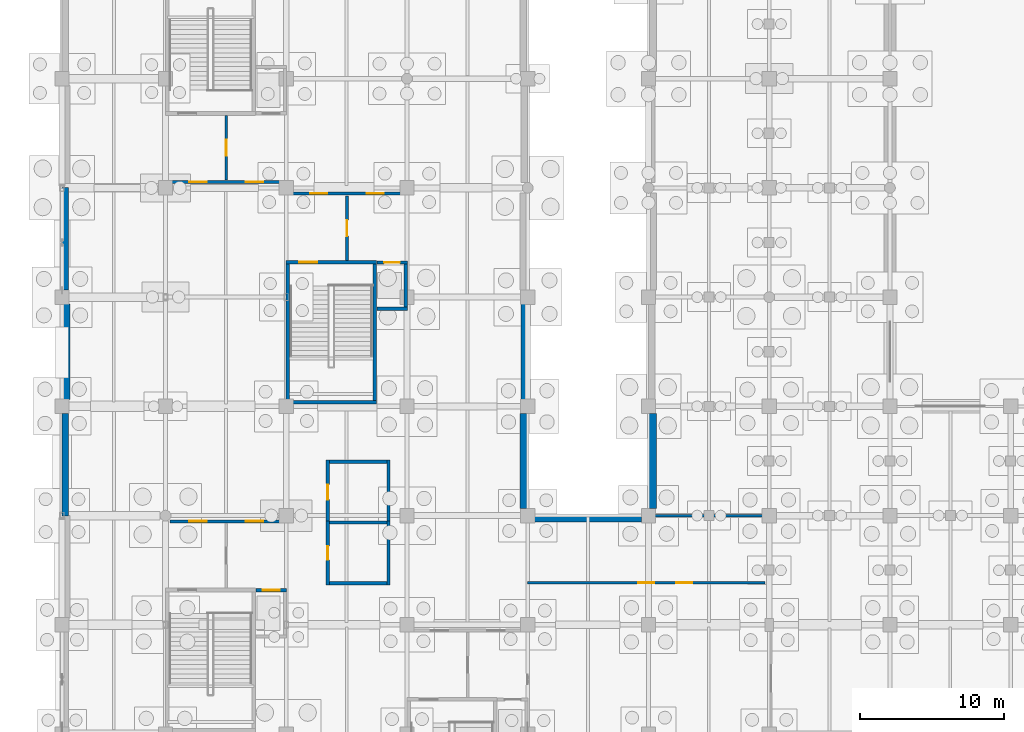
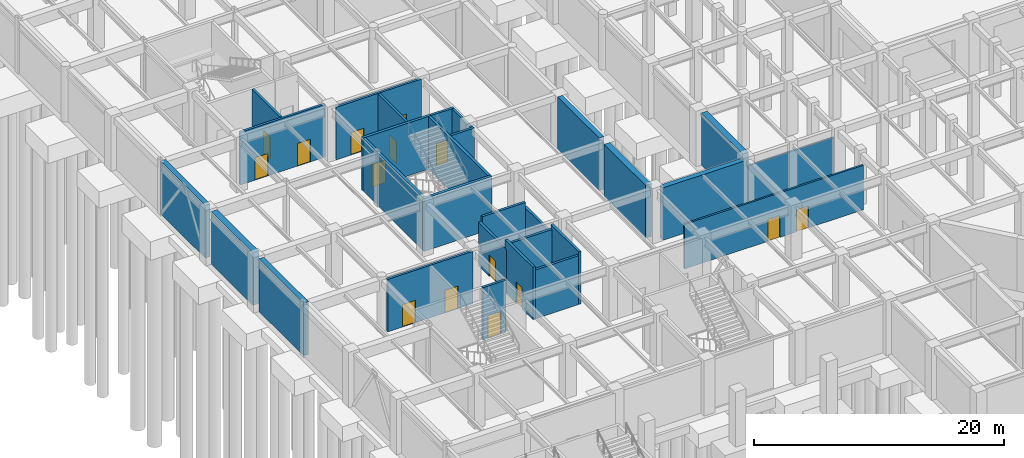
# One storey, part 40 of 52: 29 walls, 15 doors, 15 openings.
"""IFC4 building model written with IfcOpenShell, lengths in metres."""

from ifc_helpers import new_model, si_unit, direction, frame, frame_2d, origin, place, context, subcontext, project, spatial, rectangle, extrude, material, layer, layer_set, type_object, element, fill, save


model = new_model("IFC4")

# Units and contexts
model_context = context("Model", 3, precision=1e-05, world=origin(), true_north=direction((0.0, 1.0)))
body_context = subcontext(model_context, "Body", "Model", "MODEL_VIEW")
ifc_project = project(units=[si_unit("LENGTHUNIT", "METRE"), si_unit("AREAUNIT", "SQUARE_METRE"), si_unit("VOLUMEUNIT", "CUBIC_METRE"), si_unit("PLANEANGLEUNIT", "RADIAN"), si_unit("MASSUNIT", "GRAM", prefix="KILO")], contexts=[model_context])

# Site, building, storey
site_placement = place(None, origin())
site = spatial("IfcSite", under=ifc_project, at=site_placement, CompositionType="ELEMENT")
building_placement = place(site_placement, origin())
building = spatial("IfcBuilding", under=site, at=building_placement, Name="Xicomal Pleat Aquarium", CompositionType="ELEMENT")
storey_placement = place(building_placement, frame((0.0, 0.0, -5.39990234375)))
storey = spatial("IfcBuildingStorey", under=building, at=storey_placement, Name="B1", CompositionType="ELEMENT", Elevation=-5.39990234375)

# Wall, opening, door
ifc_material_1 = material(Name="Concrete C40/50", Category="concrete")
ifc_layer_1 = layer(ifc_material_1, 0.219970703125)
ifc_layer_set_1 = layer_set([ifc_layer_1], Name="Concrete C40/50")
wall_type_1 = type_object("IfcWallType", Name="WAL-COR-220", PredefinedType="SHEAR", material=ifc_layer_set_1)
wall_1_placement = place(storey_placement, frame((16.5, 32.81005859375, 0.0), z_axis=(0.0, 0.0, 1.0), x_axis=(1.0, 0.0, 0.0)))
wall_1 = element("IfcWall", 1, at=wall_1_placement, inside=storey, type_object=wall_type_1, Name="B1 LF-01 lift shaft wall CW-B1-C1-LN", PredefinedType="SHEAR", context=body_context, shape_type="SweptSolid", body=[
    extrude(rectangle(XDim=2.1201171875, YDim=0.219970703125, at=frame_2d((1.06005859375, 0.0))), origin(), (0.0, 0.0, 1.0), 5.119873046875),
])
opening_1_placement = place(wall_1_placement, frame((0.4599609375, 0.0, 0.0)))
opening_1 = element("IfcOpeningElement", 2, at=opening_1_placement, cuts=wall_1, Name="Opening LD-01-B1", PredefinedType="OPENING", context=body_context, shape_type="SweptSolid", body=[
    extrude(rectangle(XDim=1.199951171875, YDim=2.199951171875, at=frame_2d((0.60009765625, 1.10009765625))), frame((0.0, 0.119873046875, 0.0), z_axis=(0.0, -1.0, 0.0), x_axis=(1.0, 0.0, 0.0)), (0.0, 0.0, 1.0), 0.239990234375),
])
ifc_material_2 = material(Name="Brushed stainless steel 304", Category="steel")
door_type_1 = type_object("IfcDoorType", Name="DOR-LD-1200x2200", OperationType="DOUBLE_DOOR_SLIDING", PredefinedType="DOOR", material=ifc_material_2)
door_1_placement = place(opening_1_placement, origin())
door_1 = element("IfcDoor", 3, at=door_1_placement, inside=storey, type_object=door_type_1, Name="B1 LF-01 sliding lift landing door", OperationType="DOUBLE_DOOR_SLIDING", OverallHeight=2.199951171875, OverallWidth=1.199951171875, PredefinedType="DOOR", context=body_context, shape_type="SweptSolid", body=[
    extrude(rectangle(XDim=1.199951171875, YDim=2.199951171875, at=frame_2d((0.60009765625, 1.10009765625))), frame((0.0, 0.02490234375, 0.0), z_axis=(0.0, -1.0, 0.0), x_axis=(1.0, 0.0, 0.0)), (0.0, 0.0, 1.0), 0.050048828125),
])
fill(opening_1, door_1)

# Wall
wall_2_placement = place(storey_placement, frame((24.89990234375, 52.389892578125, 0.0), z_axis=(0.0, 0.0, 1.0), x_axis=(1.0, 0.0, 0.0)))
element("IfcWall", 4, at=wall_2_placement, inside=storey, type_object=wall_type_1, Name="B1 LF-04 lift shaft wall CW-B1-C4-LS", PredefinedType="SHEAR", context=body_context, shape_type="SweptSolid", body=[
    extrude(rectangle(XDim=2.1201171875, YDim=0.219970703125, at=frame_2d((1.06005859375, 0.0))), origin(), (0.0, 0.0, 1.0), 5.139892578125),
])

# Wall, opening, door
wall_3_placement = place(storey_placement, frame((24.89990234375, 55.610107421875, 0.0), z_axis=(0.0, 0.0, 1.0), x_axis=(1.0, 0.0, 0.0)))
wall_3 = element("IfcWall", 5, at=wall_3_placement, inside=storey, type_object=wall_type_1, Name="B1 LF-04 lift shaft wall CW-B1-C4-LN", PredefinedType="SHEAR", context=body_context, shape_type="SweptSolid", body=[
    extrude(rectangle(XDim=2.1201171875, YDim=0.219970703125, at=frame_2d((1.06005859375, 0.0))), origin(), (0.0, 0.0, 1.0), 5.139892578125),
])
opening_2_placement = place(wall_3_placement, frame((0.510009765625, 0.0, 0.0)))
opening_2 = element("IfcOpeningElement", 6, at=opening_2_placement, cuts=wall_3, Name="Opening LD-04-B1", PredefinedType="OPENING", context=body_context, shape_type="SweptSolid", body=[
    extrude(rectangle(XDim=1.10009765625, YDim=2.14990234375, at=frame_2d((0.550048828125, 1.074951171875))), frame((0.0, 0.119873046875, 0.0), z_axis=(0.0, -1.0, 0.0), x_axis=(1.0, 0.0, 0.0)), (0.0, 0.0, 1.0), 0.239990234375),
])
ifc_material_3 = material(Name="Brushed stainless steel 304", Category="steel")
door_type_2 = type_object("IfcDoorType", Name="DOR-LD-1100x2150", OperationType="DOUBLE_DOOR_SLIDING", PredefinedType="DOOR", material=ifc_material_3)
door_2_placement = place(opening_2_placement, origin())
door_2 = element("IfcDoor", 7, at=door_2_placement, inside=storey, type_object=door_type_2, Name="B1 LF-04 sliding lift landing door", OperationType="DOUBLE_DOOR_SLIDING", OverallHeight=2.14990234375, OverallWidth=1.10009765625, PredefinedType="DOOR", context=body_context, shape_type="SweptSolid", body=[
    extrude(rectangle(XDim=1.10009765625, YDim=2.14990234375, at=frame_2d((0.550048828125, 1.074951171875))), frame((0.0, 0.02490234375, 0.0), z_axis=(0.0, -1.0, 0.0), x_axis=(1.0, 0.0, 0.0)), (0.0, 0.0, 1.0), 0.050048828125),
])
fill(opening_2, door_2)

# Walls
wall_4_placement = place(storey_placement, frame((26.909912109375, 52.5, 0.0), z_axis=(0.0, 0.0, 1.0), x_axis=(0.0, 1.0, 0.0)))
element("IfcWall", 8, at=wall_4_placement, inside=storey, type_object=wall_type_1, Name="B1 LF-04 lift shaft wall CW-B1-C4-LE", PredefinedType="SHEAR", context=body_context, shape_type="SweptSolid", body=[
    extrude(rectangle(XDim=3.0, YDim=0.219970703125, at=frame_2d((1.5, 0.0))), origin(), (0.0, 0.0, 1.0), 5.139892578125),
])
ifc_material_4 = material(Name="Concrete C40/50", Category="concrete")
ifc_layer_2 = layer(ifc_material_4, 0.25)
ifc_layer_set_2 = layer_set([ifc_layer_2], Name="Concrete C40/50")
wall_type_2 = type_object("IfcWallType", Name="WAL-COR-250", PredefinedType="SHEAR", material=ifc_layer_set_2)
wall_5_placement = place(storey_placement, frame((18.590087890625, 45.875, 0.0), z_axis=(0.0, 0.0, 1.0), x_axis=(1.0, 0.0, 0.0)))
element("IfcWall", 9, at=wall_5_placement, inside=storey, type_object=wall_type_2, Name="B1 CORE-4 stair shear wall CW-B1-C4-SS", PredefinedType="SHEAR", context=body_context, shape_type="SweptSolid", body=[
    extrude(rectangle(XDim=6.280029296875, YDim=0.25, at=frame_2d((3.14013671875, 0.0))), origin(), (0.0, 0.0, 1.0), 5.139892578125),
])

# Wall, opening, door
wall_6_placement = place(storey_placement, frame((18.590087890625, 55.625, 0.0), z_axis=(0.0, 0.0, 1.0), x_axis=(1.0, 0.0, 0.0)))
wall_6 = element("IfcWall", 10, at=wall_6_placement, inside=storey, type_object=wall_type_2, Name="B1 CORE-4 stair shear wall CW-B1-C4-SN", PredefinedType="SHEAR", context=body_context, shape_type="SweptSolid", body=[
    extrude(rectangle(XDim=6.280029296875, YDim=0.25, at=frame_2d((3.14013671875, 0.0))), origin(), (0.0, 0.0, 1.0), 5.139892578125),
])
opening_3_placement = place(wall_6_placement, frame((0.89990234375, 0.0, 0.0)))
opening_3 = element("IfcOpeningElement", 11, at=opening_3_placement, cuts=wall_6, Name="Opening SD-04-B1", PredefinedType="OPENING", context=body_context, shape_type="SweptSolid", body=[
    extrude(rectangle(XDim=1.25, YDim=2.199951171875, at=frame_2d((0.625, 1.10009765625))), frame((0.0, 0.135009765625, 0.0), z_axis=(0.0, -1.0, 0.0), x_axis=(1.0, 0.0, 0.0)), (0.0, 0.0, 1.0), 0.27001953125),
])
ifc_material_5 = material(Name="Powder-coated steel fire door", Category="steel")
door_type_3 = type_object("IfcDoorType", Name="DOR-ST-1250x2200", OperationType="NOTDEFINED", PredefinedType="DOOR", material=ifc_material_5)
door_3_placement = place(opening_3_placement, origin())
door_3 = element("IfcDoor", 12, at=door_3_placement, inside=storey, type_object=door_type_3, Name="B1 ST-04 protected stair door", OperationType="SINGLE_SWING_LEFT", OverallHeight=2.199951171875, OverallWidth=1.25, PredefinedType="DOOR", context=body_context, shape_type="SweptSolid", body=[
    extrude(rectangle(XDim=1.25, YDim=2.199951171875, at=frame_2d((0.625, 1.10009765625))), frame((0.0, 0.02490234375, 0.0), z_axis=(0.0, -1.0, 0.0), x_axis=(1.0, 0.0, 0.0)), (0.0, 0.0, 1.0), 0.050048828125),
])
fill(opening_3, door_3)

# Walls
for number, where, z_axis, x_axis, name in (
    (13, (18.715087890625, 46.0, 0.0), (0.0, 0.0, 1.0), (0.0, 1.0, 0.0), "B1 CORE-4 stair shear wall CW-B1-C4-SW"),
    (14, (24.7451171875, 46.0, 0.0), (0.0, 0.0, 1.0), (0.0, 1.0, 0.0), "B1 CORE-4 stair shear wall CW-B1-C4-SE"),
):
    element("IfcWall", number, at=place(storey_placement, frame(where, z_axis=z_axis, x_axis=x_axis)), inside=storey, type_object=wall_type_2, Name=name, PredefinedType="SHEAR", context=body_context, shape_type="SweptSolid", body=[
        extrude(rectangle(XDim=9.5, YDim=0.25, at=frame_2d((4.75, 0.0))), origin(), (0.0, 0.0, 1.0), 5.139892578125),
    ])

# Wall, opening, door
ifc_material_6 = material(Name="Water-resistant cement-board wet-lab partition", Category="gypsum")
ifc_layer_3 = layer(ifc_material_6, 0.22998046875)
ifc_layer_set_3 = layer_set([ifc_layer_3], Name="Water-resistant cement-board wet-lab partition")
wall_type_3 = type_object("IfcWallType", Name="WAL-PLB-230", PredefinedType="PLUMBINGWALL", material=ifc_layer_set_3)
wall_7_placement = place(storey_placement, frame((21.485107421875, 33.169921875, 0.0), z_axis=(0.0, 0.0, 1.0), x_axis=(0.0, 1.0, 0.0)))
wall_7 = element("IfcWall", 15, at=wall_7_placement, inside=storey, type_object=wall_type_3, Name="B1 enclosed toilet partition PT-B1-001", PredefinedType="PLUMBINGWALL", context=body_context, shape_type="SweptSolid", body=[
    extrude(rectangle(XDim=4.4599609375, YDim=0.22998046875, at=frame_2d((2.22998046875, 0.0))), origin(), (0.0, 0.0, 1.0), 5.119873046875),
])
opening_4_placement = place(wall_7_placement, frame((1.7548828125, 0.0, 0.0)))
opening_4 = element("IfcOpeningElement", 16, at=opening_4_placement, cuts=wall_7, Name="Opening DR-B1-001", PredefinedType="OPENING", context=body_context, shape_type="SweptSolid", body=[
    extrude(rectangle(XDim=0.949951171875, YDim=2.10009765625, at=frame_2d((0.47509765625, 1.050048828125))), frame((0.0, 0.125, 0.0), z_axis=(0.0, -1.0, 0.0), x_axis=(1.0, 0.0, 0.0)), (0.0, 0.0, 1.0), 0.25),
])
ifc_material_7 = material(Name="Solid-core hardwood and anodized aluminium frame", Category="wood")
door_type_4 = type_object("IfcDoorType", Name="DOR-WC-0950x2100", OperationType="NOTDEFINED", PredefinedType="DOOR", material=ifc_material_7)
door_4_placement = place(opening_4_placement, origin())
door_4 = element("IfcDoor", 17, at=door_4_placement, inside=storey, type_object=door_type_4, Name="B1 Basement Staff Toilet door DR-B1-001", OperationType="SINGLE_SWING_LEFT", OverallHeight=2.10009765625, OverallWidth=0.949951171875, PredefinedType="DOOR", context=body_context, shape_type="SweptSolid", body=[
    extrude(rectangle(XDim=0.949951171875, YDim=2.10009765625, at=frame_2d((0.47509765625, 1.050048828125))), frame((0.0, 0.02490234375, 0.0), z_axis=(0.0, -1.0, 0.0), x_axis=(1.0, 0.0, 0.0)), (0.0, 0.0, 1.0), 0.050048828125),
])
fill(opening_4, door_4)

# Walls
wall_8_placement = place(storey_placement, frame((25.715087890625, 33.169921875, 0.0), z_axis=(0.0, 0.0, 1.0), x_axis=(0.0, 1.0, 0.0)))
element("IfcWall", 18, at=wall_8_placement, inside=storey, type_object=wall_type_3, Name="B1 enclosed toilet partition PT-B1-002", PredefinedType="PLUMBINGWALL", context=body_context, shape_type="SweptSolid", body=[
    extrude(rectangle(XDim=4.4599609375, YDim=0.22998046875, at=frame_2d((2.22998046875, 0.0))), origin(), (0.0, 0.0, 1.0), 5.119873046875),
])
for number, where, z_axis, x_axis, name in (
    (19, (21.60009765625, 33.284912109375, 0.0), (0.0, 0.0, 1.0), (1.0, 0.0, 0.0), "B1 enclosed toilet partition PT-B1-003"),
    (20, (21.60009765625, 37.514892578125, 0.0), (0.0, 0.0, 1.0), (1.0, 0.0, 0.0), "B1 enclosed toilet partition PT-B1-004"),
):
    element("IfcWall", number, at=place(storey_placement, frame(where, z_axis=z_axis, x_axis=x_axis)), inside=storey, type_object=wall_type_3, Name=name, PredefinedType="PLUMBINGWALL", context=body_context, shape_type="SweptSolid", body=[
        extrude(rectangle(XDim=4.0, YDim=0.22998046875, at=frame_2d((2.0, 0.0))), origin(), (0.0, 0.0, 1.0), 4.760986328125),
    ])

# Wall, opening, door
wall_9_placement = place(storey_placement, frame((21.485107421875, 37.39990234375, 0.0), z_axis=(0.0, 0.0, 1.0), x_axis=(0.0, 1.0, 0.0)))
wall_9 = element("IfcWall", 21, at=wall_9_placement, inside=storey, type_object=wall_type_3, Name="B1 enclosed toilet partition PT-B1-005", PredefinedType="PLUMBINGWALL", context=body_context, shape_type="SweptSolid", body=[
    extrude(rectangle(XDim=4.460205078125, YDim=0.22998046875, at=frame_2d((2.22998046875, 0.0))), origin(), (0.0, 0.0, 1.0), 4.263916015625),
])
opening_5_placement = place(wall_9_placement, frame((1.705078125, 0.0, 0.0)))
opening_5 = element("IfcOpeningElement", 22, at=opening_5_placement, cuts=wall_9, Name="Opening DR-B1-002", PredefinedType="OPENING", context=body_context, shape_type="SweptSolid", body=[
    extrude(rectangle(XDim=1.050048828125, YDim=2.10009765625, at=frame_2d((0.52490234375, 1.050048828125))), frame((0.0, 0.125, 0.0), z_axis=(0.0, -1.0, 0.0), x_axis=(1.0, 0.0, 0.0)), (0.0, 0.0, 1.0), 0.25),
])
ifc_material_8 = material(Name="Solid-core hardwood and anodized aluminium frame", Category="wood")
door_type_5 = type_object("IfcDoorType", Name="DOR-AWC-1050x2100", OperationType="NOTDEFINED", PredefinedType="DOOR", material=ifc_material_8)
door_5_placement = place(opening_5_placement, origin())
door_5 = element("IfcDoor", 23, at=door_5_placement, inside=storey, type_object=door_type_5, Name="B1 Basement Accessible Toilet door DR-B1-002", OperationType="SINGLE_SWING_RIGHT", OverallHeight=2.10009765625, OverallWidth=1.050048828125, PredefinedType="DOOR", context=body_context, shape_type="SweptSolid", body=[
    extrude(rectangle(XDim=1.050048828125, YDim=2.10009765625, at=frame_2d((0.52490234375, 1.050048828125))), frame((0.0, 0.02490234375, 0.0), z_axis=(0.0, -1.0, 0.0), x_axis=(1.0, 0.0, 0.0)), (0.0, 0.0, 1.0), 0.050048828125),
])
fill(opening_5, door_5)

# Walls
wall_10_placement = place(storey_placement, frame((25.715087890625, 37.39990234375, 0.0), z_axis=(0.0, 0.0, 1.0), x_axis=(0.0, 1.0, 0.0)))
element("IfcWall", 24, at=wall_10_placement, inside=storey, type_object=wall_type_3, Name="B1 enclosed toilet partition PT-B1-006", PredefinedType="PLUMBINGWALL", context=body_context, shape_type="SweptSolid", body=[
    extrude(rectangle(XDim=4.460205078125, YDim=0.22998046875, at=frame_2d((2.22998046875, 0.0))), origin(), (0.0, 0.0, 1.0), 4.263916015625),
])
wall_11_placement = place(storey_placement, frame((21.60009765625, 41.7451171875, 0.0), z_axis=(0.0, 0.0, 1.0), x_axis=(1.0, 0.0, 0.0)))
element("IfcWall", 25, at=wall_11_placement, inside=storey, type_object=wall_type_3, Name="B1 enclosed toilet partition PT-B1-007", PredefinedType="PLUMBINGWALL", context=body_context, shape_type="SweptSolid", body=[
    extrude(rectangle(XDim=4.0, YDim=0.22998046875, at=frame_2d((2.0, 0.0))), origin(), (0.0, 0.0, 1.0), 4.831787109375),
])
ifc_material_9 = material(Name="Water-resistant cement-board wet-lab partition", Category="gypsum")
ifc_layer_4 = layer(ifc_material_9, 0.1650390625)
ifc_layer_set_4 = layer_set([ifc_layer_4], Name="Water-resistant cement-board wet-lab partition")
wall_type_4 = type_object("IfcWallType", Name="WAL-PRT-165", PredefinedType="PARTITIONING", material=ifc_layer_set_4)
wall_12_placement = place(storey_placement, frame((44.0, 38.0, 0.0), z_axis=(0.0, 0.0, 1.0), x_axis=(1.0, 0.0, 0.0)))
element("IfcWall", 26, at=wall_12_placement, inside=storey, type_object=wall_type_4, Name="B1 interior partition PT-B1-009", PredefinedType="PARTITIONING", context=body_context, shape_type="SweptSolid", body=[
    extrude(rectangle(XDim=7.89990234375, YDim=0.1650390625, at=frame_2d((3.949951171875, 0.0))), origin(), (0.0, 0.0, 1.0), 4.218994140625),
])

# Wall, openings, doors
ifc_material_10 = material(Name="Water-resistant cement-board wet-lab partition", Category="gypsum")
ifc_layer_5 = layer(ifc_material_10, 0.172119140625)
ifc_layer_set_5 = layer_set([ifc_layer_5], Name="Water-resistant cement-board wet-lab partition")
wall_type_5 = type_object("IfcWallType", Name="WAL-PRT-172", PredefinedType="PARTITIONING", material=ifc_layer_set_5)
wall_13_placement = place(storey_placement, frame((51.89990234375, 33.320068359375, 0.0), z_axis=(0.0, 0.0, 1.0), x_axis=(-1.0, 0.0, 0.0)))
wall_13 = element("IfcWall", 27, at=wall_13_placement, inside=storey, type_object=wall_type_5, Name="B1 interior partition PT-B1-008", PredefinedType="PARTITIONING", context=body_context, shape_type="SweptSolid", body=[
    extrude(rectangle(XDim=16.5, YDim=0.172119140625, at=frame_2d((8.25, 0.0))), origin(), (0.0, 0.0, 1.0), 4.344970703125),
])
opening_6_placement = place(wall_13_placement, frame((7.699951171875, 0.0, 0.0)))
opening_6 = element("IfcOpeningElement", 28, at=opening_6_placement, cuts=wall_13, Name="Opening DR-B1-003", PredefinedType="OPENING", context=body_context, shape_type="SweptSolid", body=[
    extrude(rectangle(XDim=1.10009765625, YDim=2.14990234375, at=frame_2d((0.550048828125, 1.074951171875))), frame((0.0, 0.095947265625, 0.0), z_axis=(0.0, -1.0, 0.0), x_axis=(1.0, 0.0, 0.0)), (0.0, 0.0, 1.0), 0.192138671875),
])
opening_7_placement = place(wall_13_placement, frame((5.06005859375, 0.0, 0.0)))
opening_7 = element("IfcOpeningElement", 29, at=opening_7_placement, cuts=wall_13, Name="Opening DR-B1-005", PredefinedType="OPENING", context=body_context, shape_type="SweptSolid", body=[
    extrude(rectangle(XDim=1.10009765625, YDim=2.14990234375, at=frame_2d((0.550048828125, 1.074951171875))), frame((0.0, 0.095947265625, 0.0), z_axis=(0.0, -1.0, 0.0), x_axis=(1.0, 0.0, 0.0)), (0.0, 0.0, 1.0), 0.192138671875),
])
ifc_material_11 = material(Name="Powder-coated steel fire door", Category="steel")
door_type_6 = type_object("IfcDoorType", Name="DOR-LAB-1100x2150", OperationType="NOTDEFINED", PredefinedType="DOOR", material=ifc_material_11)
door_6_placement = place(opening_6_placement, origin())
door_6 = element("IfcDoor", 30, at=door_6_placement, inside=storey, type_object=door_type_6, Name="B1 Bicycle Storage Room door DR-B1-003", OperationType="SINGLE_SWING_LEFT", OverallHeight=2.14990234375, OverallWidth=1.10009765625, PredefinedType="DOOR", context=body_context, shape_type="SweptSolid", body=[
    extrude(rectangle(XDim=1.10009765625, YDim=2.14990234375, at=frame_2d((0.550048828125, 1.074951171875))), frame((0.0, 0.02490234375, 0.0), z_axis=(0.0, -1.0, 0.0), x_axis=(1.0, 0.0, 0.0)), (0.0, 0.0, 1.0), 0.050048828125),
])
fill(opening_6, door_6)
door_7_placement = place(opening_7_placement, origin())
door_7 = element("IfcDoor", 31, at=door_7_placement, inside=storey, type_object=door_type_6, Name="B1 Main Ocean Basin Lower Viewing Concourse door DR-B1-005", OperationType="SINGLE_SWING_RIGHT", OverallHeight=2.14990234375, OverallWidth=1.10009765625, PredefinedType="DOOR", context=body_context, shape_type="SweptSolid", body=[
    extrude(rectangle(XDim=1.10009765625, YDim=2.14990234375, at=frame_2d((0.550048828125, 1.074951171875))), frame((0.0, 0.02490234375, 0.0), z_axis=(0.0, -1.0, 0.0), x_axis=(1.0, 0.0, 0.0)), (0.0, 0.0, 1.0), 0.050048828125),
])
fill(opening_7, door_7)

# Wall, opening, door
ifc_material_12 = material(Name="Acoustic double-stud drywall partition", Category="gypsum")
ifc_layer_6 = layer(ifc_material_12, 0.195068359375)
ifc_layer_set_6 = layer_set([ifc_layer_6], Name="Acoustic double-stud drywall partition")
wall_type_6 = type_object("IfcWallType", Name="WAL-PRT-195", PredefinedType="PARTITIONING", material=ifc_layer_set_6)
wall_14_placement = place(storey_placement, frame((14.425048828125, 61.35009765625, 0.0), z_axis=(0.0, 0.0, 1.0), x_axis=(0.0, 1.0, 0.0)))
wall_14 = element("IfcWall", 32, at=wall_14_placement, inside=storey, type_object=wall_type_6, Name="B1 firefighting lobby smoke divider 3", PredefinedType="PARTITIONING", context=body_context, shape_type="SweptSolid", body=[
    extrude(rectangle(XDim=4.5, YDim=0.195068359375, at=frame_2d((2.25, 0.0))), origin(), (0.0, 0.0, 1.0), 5.139892578125),
])
opening_8_placement = place(wall_14_placement, frame((1.699951171875, 0.0, 0.0)))
opening_8 = element("IfcOpeningElement", 33, at=opening_8_placement, cuts=wall_14, Name="Opening FD-03C-B1", PredefinedType="OPENING", context=body_context, shape_type="SweptSolid", body=[
    extrude(rectangle(XDim=1.10009765625, YDim=2.14990234375, at=frame_2d((0.550048828125, 1.074951171875))), frame((0.0, 0.107421875, 0.0), z_axis=(0.0, -1.0, 0.0), x_axis=(1.0, 0.0, 0.0)), (0.0, 0.0, 1.0), 0.215087890625),
])
door_8_placement = place(opening_8_placement, origin())
door_8 = element("IfcDoor", 34, at=door_8_placement, inside=storey, type_object=door_type_6, Name="B1 lobby interconnecting fire door 3C", OperationType="SINGLE_SWING_LEFT", OverallHeight=2.14990234375, OverallWidth=1.10009765625, PredefinedType="DOOR", context=body_context, shape_type="SweptSolid", body=[
    extrude(rectangle(XDim=1.10009765625, YDim=2.14990234375, at=frame_2d((0.550048828125, 1.074951171875))), frame((0.0, 0.02490234375, 0.0), z_axis=(0.0, -1.0, 0.0), x_axis=(1.0, 0.0, 0.0)), (0.0, 0.0, 1.0), 0.050048828125),
])
fill(opening_8, door_8)

wall_15_placement = place(storey_placement, frame((22.824951171875, 55.75, 0.0), z_axis=(0.0, 0.0, 1.0), x_axis=(0.0, 1.0, 0.0)))
wall_15 = element("IfcWall", 35, at=wall_15_placement, inside=storey, type_object=wall_type_6, Name="B1 firefighting lobby smoke divider 4", PredefinedType="PARTITIONING", context=body_context, shape_type="SweptSolid", body=[
    extrude(rectangle(XDim=4.5, YDim=0.195068359375, at=frame_2d((2.25, 0.0))), origin(), (0.0, 0.0, 1.0), 5.139892578125),
])
opening_9_placement = place(wall_15_placement, frame((1.699951171875, 0.0, 0.0)))
opening_9 = element("IfcOpeningElement", 36, at=opening_9_placement, cuts=wall_15, Name="Opening FD-04C-B1", PredefinedType="OPENING", context=body_context, shape_type="SweptSolid", body=[
    extrude(rectangle(XDim=1.10009765625, YDim=2.14990234375, at=frame_2d((0.550048828125, 1.074951171875))), frame((0.0, 0.107421875, 0.0), z_axis=(0.0, -1.0, 0.0), x_axis=(1.0, 0.0, 0.0)), (0.0, 0.0, 1.0), 0.215087890625),
])
door_9_placement = place(opening_9_placement, origin())
door_9 = element("IfcDoor", 37, at=door_9_placement, inside=storey, type_object=door_type_6, Name="B1 lobby interconnecting fire door 4C", OperationType="SINGLE_SWING_LEFT", OverallHeight=2.14990234375, OverallWidth=1.10009765625, PredefinedType="DOOR", context=body_context, shape_type="SweptSolid", body=[
    extrude(rectangle(XDim=1.10009765625, YDim=2.14990234375, at=frame_2d((0.550048828125, 1.074951171875))), frame((0.0, 0.02490234375, 0.0), z_axis=(0.0, -1.0, 0.0), x_axis=(1.0, 0.0, 0.0)), (0.0, 0.0, 1.0), 0.050048828125),
])
fill(opening_9, door_9)

# Wall, openings, doors
ifc_material_13 = material(Name="Fire-rated gypsum and mineral-wool partition", Category="gypsum")
ifc_layer_7 = layer(ifc_material_13, 0.2099609375)
ifc_layer_set_7 = layer_set([ifc_layer_7], Name="Fire-rated gypsum and mineral-wool partition")
wall_type_7 = type_object("IfcWallType", Name="WAL-PRT-210", PredefinedType="PARTITIONING", material=ifc_layer_set_7)
wall_16_placement = place(storey_placement, frame((10.5, 37.60009765625, 0.0), z_axis=(0.0, 0.0, 1.0), x_axis=(1.0, 0.0, 0.0)))
wall_16 = element("IfcWall", 38, at=wall_16_placement, inside=storey, type_object=wall_type_7, Name="B1 CORE-1 lobby fire enclosure wall", PredefinedType="PARTITIONING", context=body_context, shape_type="SweptSolid", body=[
    extrude(rectangle(XDim=7.85009765625, YDim=0.2099609375, at=frame_2d((3.925048828125, 0.0))), origin(), (0.0, 0.0, 1.0), 5.119873046875),
])
opening_10_placement = place(wall_16_placement, frame((1.362060546875, 0.0, 0.0)))
opening_10 = element("IfcOpeningElement", 39, at=opening_10_placement, cuts=wall_16, Name="Opening FD-01A-B1", PredefinedType="OPENING", context=body_context, shape_type="SweptSolid", body=[
    extrude(rectangle(XDim=1.199951171875, YDim=2.199951171875, at=frame_2d((0.60009765625, 1.10009765625))), frame((0.0, 0.114990234375, 0.0), z_axis=(0.0, -1.0, 0.0), x_axis=(1.0, 0.0, 0.0)), (0.0, 0.0, 1.0), 0.22998046875),
])
opening_11_placement = place(wall_16_placement, frame((5.287109375, 0.0, 0.0)))
opening_11 = element("IfcOpeningElement", 40, at=opening_11_placement, cuts=wall_16, Name="Opening FD-01B-B1", PredefinedType="OPENING", context=body_context, shape_type="SweptSolid", body=[
    extrude(rectangle(XDim=1.199951171875, YDim=2.199951171875, at=frame_2d((0.60009765625, 1.10009765625))), frame((0.0, 0.114990234375, 0.0), z_axis=(0.0, -1.0, 0.0), x_axis=(1.0, 0.0, 0.0)), (0.0, 0.0, 1.0), 0.22998046875),
])
ifc_material_14 = material(Name="Powder-coated steel fire door", Category="steel")
door_type_7 = type_object("IfcDoorType", Name="DOR-FFL-1200x2200", OperationType="NOTDEFINED", PredefinedType="DOOR", material=ifc_material_14)
door_10_placement = place(opening_10_placement, origin())
door_10 = element("IfcDoor", 41, at=door_10_placement, inside=storey, type_object=door_type_7, Name="B1 firefighting lobby door 1A", OperationType="SINGLE_SWING_LEFT", OverallHeight=2.199951171875, OverallWidth=1.199951171875, PredefinedType="DOOR", context=body_context, shape_type="SweptSolid", body=[
    extrude(rectangle(XDim=1.199951171875, YDim=2.199951171875, at=frame_2d((0.60009765625, 1.10009765625))), frame((0.0, 0.02490234375, 0.0), z_axis=(0.0, -1.0, 0.0), x_axis=(1.0, 0.0, 0.0)), (0.0, 0.0, 1.0), 0.050048828125),
])
fill(opening_10, door_10)
door_11_placement = place(opening_11_placement, origin())
door_11 = element("IfcDoor", 42, at=door_11_placement, inside=storey, type_object=door_type_7, Name="B1 lift lobby door 1B", OperationType="SINGLE_SWING_RIGHT", OverallHeight=2.199951171875, OverallWidth=1.199951171875, PredefinedType="DOOR", context=body_context, shape_type="SweptSolid", body=[
    extrude(rectangle(XDim=1.199951171875, YDim=2.199951171875, at=frame_2d((0.60009765625, 1.10009765625))), frame((0.0, 0.02490234375, 0.0), z_axis=(0.0, -1.0, 0.0), x_axis=(1.0, 0.0, 0.0)), (0.0, 0.0, 1.0), 0.050048828125),
])
fill(opening_11, door_11)

wall_17_placement = place(storey_placement, frame((10.5, 61.199951171875, 0.0), z_axis=(0.0, 0.0, 1.0), x_axis=(1.0, 0.0, 0.0)))
wall_17 = element("IfcWall", 43, at=wall_17_placement, inside=storey, type_object=wall_type_7, Name="B1 CORE-3 lobby fire enclosure wall", PredefinedType="PARTITIONING", context=body_context, shape_type="SweptSolid", body=[
    extrude(rectangle(XDim=7.85009765625, YDim=0.2099609375, at=frame_2d((3.925048828125, 0.0))), origin(), (0.0, 0.0, 1.0), 5.139892578125),
])
opening_12_placement = place(wall_17_placement, frame((1.362060546875, 0.0, 0.0)))
opening_12 = element("IfcOpeningElement", 44, at=opening_12_placement, cuts=wall_17, Name="Opening FD-03A-B1", PredefinedType="OPENING", context=body_context, shape_type="SweptSolid", body=[
    extrude(rectangle(XDim=1.199951171875, YDim=2.199951171875, at=frame_2d((0.60009765625, 1.10009765625))), frame((0.0, 0.114990234375, 0.0), z_axis=(0.0, -1.0, 0.0), x_axis=(1.0, 0.0, 0.0)), (0.0, 0.0, 1.0), 0.22998046875),
])
opening_13_placement = place(wall_17_placement, frame((5.287109375, 0.0, 0.0)))
opening_13 = element("IfcOpeningElement", 45, at=opening_13_placement, cuts=wall_17, Name="Opening FD-03B-B1", PredefinedType="OPENING", context=body_context, shape_type="SweptSolid", body=[
    extrude(rectangle(XDim=1.199951171875, YDim=2.199951171875, at=frame_2d((0.60009765625, 1.10009765625))), frame((0.0, 0.114990234375, 0.0), z_axis=(0.0, -1.0, 0.0), x_axis=(1.0, 0.0, 0.0)), (0.0, 0.0, 1.0), 0.22998046875),
])
door_12_placement = place(opening_12_placement, origin())
door_12 = element("IfcDoor", 46, at=door_12_placement, inside=storey, type_object=door_type_7, Name="B1 firefighting lobby door 3A", OperationType="SINGLE_SWING_LEFT", OverallHeight=2.199951171875, OverallWidth=1.199951171875, PredefinedType="DOOR", context=body_context, shape_type="SweptSolid", body=[
    extrude(rectangle(XDim=1.199951171875, YDim=2.199951171875, at=frame_2d((0.60009765625, 1.10009765625))), frame((0.0, 0.02490234375, 0.0), z_axis=(0.0, -1.0, 0.0), x_axis=(1.0, 0.0, 0.0)), (0.0, 0.0, 1.0), 0.050048828125),
])
fill(opening_12, door_12)
door_13_placement = place(opening_13_placement, origin())
door_13 = element("IfcDoor", 47, at=door_13_placement, inside=storey, type_object=door_type_7, Name="B1 lift lobby door 3B", OperationType="SINGLE_SWING_RIGHT", OverallHeight=2.199951171875, OverallWidth=1.199951171875, PredefinedType="DOOR", context=body_context, shape_type="SweptSolid", body=[
    extrude(rectangle(XDim=1.199951171875, YDim=2.199951171875, at=frame_2d((0.60009765625, 1.10009765625))), frame((0.0, 0.02490234375, 0.0), z_axis=(0.0, -1.0, 0.0), x_axis=(1.0, 0.0, 0.0)), (0.0, 0.0, 1.0), 0.050048828125),
])
fill(opening_13, door_13)

wall_18_placement = place(storey_placement, frame((18.89990234375, 60.39990234375, 0.0), z_axis=(0.0, 0.0, 1.0), x_axis=(1.0, 0.0, 0.0)))
wall_18 = element("IfcWall", 48, at=wall_18_placement, inside=storey, type_object=wall_type_7, Name="B1 CORE-4 lobby fire enclosure wall", PredefinedType="PARTITIONING", context=body_context, shape_type="SweptSolid", body=[
    extrude(rectangle(XDim=7.85009765625, YDim=0.2099609375, at=frame_2d((3.925048828125, 0.0))), origin(), (0.0, 0.0, 1.0), 5.139892578125),
])
opening_14_placement = place(wall_18_placement, frame((1.362060546875, 0.0, 0.0)))
opening_14 = element("IfcOpeningElement", 49, at=opening_14_placement, cuts=wall_18, Name="Opening FD-04A-B1", PredefinedType="OPENING", context=body_context, shape_type="SweptSolid", body=[
    extrude(rectangle(XDim=1.199951171875, YDim=2.199951171875, at=frame_2d((0.60009765625, 1.10009765625))), frame((0.0, 0.114990234375, 0.0), z_axis=(0.0, -1.0, 0.0), x_axis=(1.0, 0.0, 0.0)), (0.0, 0.0, 1.0), 0.22998046875),
])
opening_15_placement = place(wall_18_placement, frame((5.287109375, 0.0, 0.0)))
opening_15 = element("IfcOpeningElement", 50, at=opening_15_placement, cuts=wall_18, Name="Opening FD-04B-B1", PredefinedType="OPENING", context=body_context, shape_type="SweptSolid", body=[
    extrude(rectangle(XDim=1.199951171875, YDim=2.199951171875, at=frame_2d((0.60009765625, 1.10009765625))), frame((0.0, 0.114990234375, 0.0), z_axis=(0.0, -1.0, 0.0), x_axis=(1.0, 0.0, 0.0)), (0.0, 0.0, 1.0), 0.22998046875),
])
door_14_placement = place(opening_14_placement, origin())
door_14 = element("IfcDoor", 51, at=door_14_placement, inside=storey, type_object=door_type_7, Name="B1 firefighting lobby door 4A", OperationType="SINGLE_SWING_LEFT", OverallHeight=2.199951171875, OverallWidth=1.199951171875, PredefinedType="DOOR", context=body_context, shape_type="SweptSolid", body=[
    extrude(rectangle(XDim=1.199951171875, YDim=2.199951171875, at=frame_2d((0.60009765625, 1.10009765625))), frame((0.0, 0.02490234375, 0.0), z_axis=(0.0, -1.0, 0.0), x_axis=(1.0, 0.0, 0.0)), (0.0, 0.0, 1.0), 0.050048828125),
])
fill(opening_14, door_14)
door_15_placement = place(opening_15_placement, origin())
door_15 = element("IfcDoor", 52, at=door_15_placement, inside=storey, type_object=door_type_7, Name="B1 lift lobby door 4B", OperationType="SINGLE_SWING_RIGHT", OverallHeight=2.199951171875, OverallWidth=1.199951171875, PredefinedType="DOOR", context=body_context, shape_type="SweptSolid", body=[
    extrude(rectangle(XDim=1.199951171875, YDim=2.199951171875, at=frame_2d((0.60009765625, 1.10009765625))), frame((0.0, 0.02490234375, 0.0), z_axis=(0.0, -1.0, 0.0), x_axis=(1.0, 0.0, 0.0)), (0.0, 0.0, 1.0), 0.050048828125),
])
fill(opening_15, door_15)

# Walls
ifc_material_15 = material(Name="Waterproof concrete C40/50", Category="concrete")
ifc_layer_8 = layer(ifc_material_15, 0.4599609375)
ifc_layer_set_8 = layer_set([ifc_layer_8], Name="Waterproof concrete C40/50")
wall_type_8 = type_object("IfcWallType", Name="WAL-RET-460", PredefinedType="USERDEFINED", material=ifc_layer_set_8)
for number, where, z_axis, x_axis, name in (
    (53, (3.22998046875, 37.97998046875, 0.0), (0.0, 0.0, 1.0), (0.0, 1.0, 0.0), "Basement waterproof retaining wall RW-B1-079"),
    (54, (3.22998046875, 53.68505859375, 0.0), (0.0, 0.0, 1.0), (0.0, 1.0, 0.0), "Basement waterproof retaining wall RW-B1-081"),
):
    element("IfcWall", number, at=place(storey_placement, frame(where, z_axis=z_axis, x_axis=x_axis)), inside=storey, type_object=wall_type_8, Name=name, ObjectType="RETAINING WALL", PredefinedType="USERDEFINED", context=body_context, shape_type="SweptSolid", body=[
        extrude(rectangle(XDim=7.135009765625, YDim=0.4599609375, at=frame_2d((3.5673828125, 0.0))), origin(), (0.0, 0.0, 1.0), 5.139892578125),
    ])
wall_19_placement = place(storey_placement, frame((35.169921875, 52.715087890625, 0.0), z_axis=(0.0, 0.0, 1.0), x_axis=(0.0, -1.0, 0.0)))
element("IfcWall", 55, at=wall_19_placement, inside=storey, type_object=wall_type_8, Name="Basement waterproof retaining wall RW-B1-101", ObjectType="RETAINING WALL", PredefinedType="USERDEFINED", context=body_context, shape_type="SweptSolid", body=[
    extrude(rectangle(XDim=6.630126953125, YDim=0.4599609375, at=frame_2d((3.31494140625, 0.0))), origin(), (0.0, 0.0, 1.0), 5.139892578125),
])
wall_20_placement = place(storey_placement, frame((35.885009765625, 37.77001953125, 0.0), z_axis=(0.0, 0.0, 1.0), x_axis=(1.0, 0.0, 0.0)))
element("IfcWall", 56, at=wall_20_placement, inside=storey, type_object=wall_type_8, Name="Basement waterproof retaining wall RW-B1-103", ObjectType="RETAINING WALL", PredefinedType="USERDEFINED", context=body_context, shape_type="SweptSolid", body=[
    extrude(rectangle(XDim=7.429931640625, YDim=0.4599609375, at=frame_2d((3.71484375, 0.0))), origin(), (0.0, 0.0, 1.0), 5.119873046875),
])
ifc_material_16 = material(Name="Waterproof concrete C40/50", Category="concrete")
ifc_layer_9 = layer(ifc_material_16, 0.550048828125)
ifc_layer_set_9 = layer_set([ifc_layer_9], Name="Waterproof concrete C40/50")
wall_type_9 = type_object("IfcWallType", Name="WAL-RET-550", PredefinedType="USERDEFINED", material=ifc_layer_set_9)
wall_21_placement = place(storey_placement, frame((3.27490234375, 46.0849609375, 0.0), z_axis=(0.0, 0.0, 1.0), x_axis=(0.0, 1.0, 0.0)))
element("IfcWall", 57, at=wall_21_placement, inside=storey, type_object=wall_type_9, Name="Basement waterproof retaining wall RW-B1-080", ObjectType="RETAINING WALL", PredefinedType="USERDEFINED", context=body_context, shape_type="SweptSolid", body=[
    extrude(rectangle(XDim=6.630126953125, YDim=0.550048828125, at=frame_2d((3.31494140625, 0.0))), origin(), (0.0, 0.0, 1.0), 5.139892578125),
])
wall_22_placement = place(storey_placement, frame((35.125, 45.114990234375, 0.0), z_axis=(0.0, 0.0, 1.0), x_axis=(0.0, -1.0, 0.0)))
element("IfcWall", 58, at=wall_22_placement, inside=storey, type_object=wall_type_9, Name="Basement waterproof retaining wall RW-B1-102", ObjectType="RETAINING WALL", PredefinedType="USERDEFINED", context=body_context, shape_type="SweptSolid", body=[
    extrude(rectangle(XDim=6.6298828125, YDim=0.550048828125, at=frame_2d((3.31494140625, 0.0))), origin(), (0.0, 0.0, 1.0), 5.139892578125),
])
wall_23_placement = place(storey_placement, frame((44.074951171875, 38.485107421875, 0.0), z_axis=(0.0, 0.0, 1.0), x_axis=(0.0, 1.0, 0.0)))
element("IfcWall", 59, at=wall_23_placement, inside=storey, type_object=wall_type_9, Name="Basement waterproof retaining wall RW-B1-104", ObjectType="RETAINING WALL", PredefinedType="USERDEFINED", context=body_context, shape_type="SweptSolid", body=[
    extrude(rectangle(XDim=6.6298828125, YDim=0.550048828125, at=frame_2d((3.31494140625, 0.0))), origin(), (0.0, 0.0, 1.0), 5.074951171875),
])

save(model, "model.ifc")
